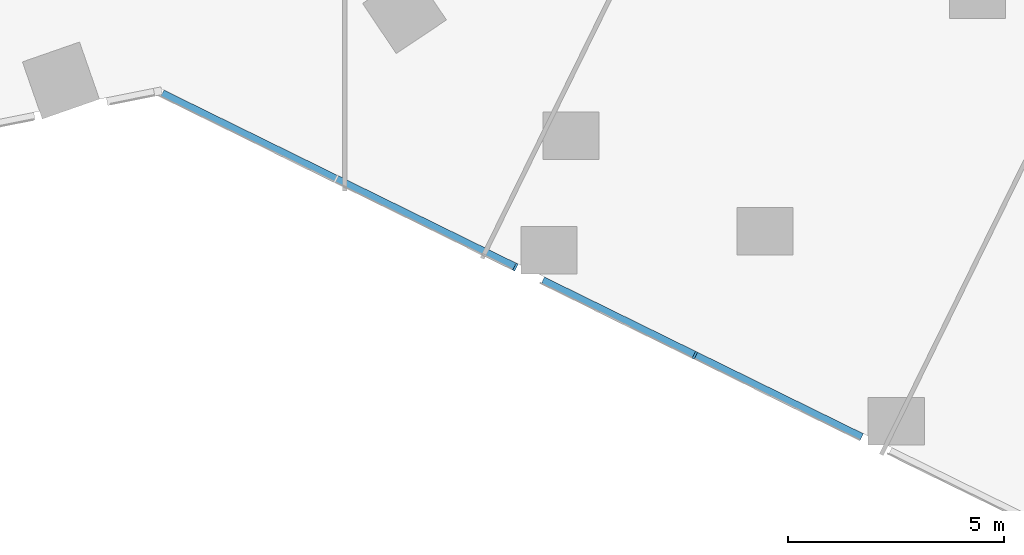
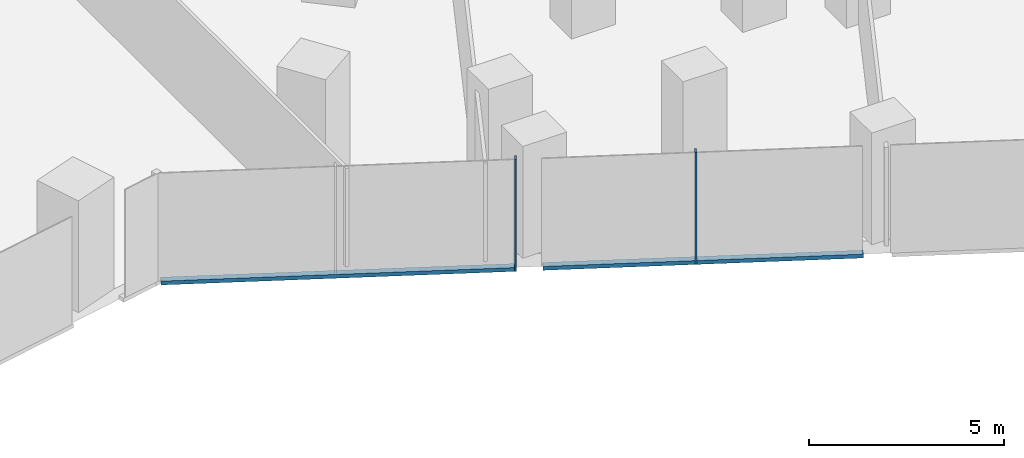
# One storey, part 9 of 38: 4 members, 1 element without a shape of its own.
"""IFC4 building model written with IfcOpenShell, lengths in metres."""

from ifc_helpers import new_model, si_unit, direction, frame, origin, origin_2d, place, context, subcontext, project, spatial, rectangle, extrude, material, material_profile, profile_set, type_object, element, aggregate, save


model = new_model("IFC4")

# Units and contexts
model_context = context("Model", 3, precision=1e-05, world=origin(), true_north=direction((0.0, 1.0)))
body_context = subcontext(model_context, "Body", "Model", "MODEL_VIEW")
ifc_project = project(units=[si_unit("LENGTHUNIT", "METRE"), si_unit("AREAUNIT", "SQUARE_METRE"), si_unit("VOLUMEUNIT", "CUBIC_METRE"), si_unit("PLANEANGLEUNIT", "RADIAN"), si_unit("MASSUNIT", "GRAM", prefix="KILO")], contexts=[model_context])

# Site, building, storey
site_placement = place(None, origin())
site = spatial("IfcSite", under=ifc_project, at=site_placement, CompositionType="ELEMENT")
building_placement = place(site_placement, origin())
building = spatial("IfcBuilding", under=site, at=building_placement, Name="Orlundy Tower", CompositionType="ELEMENT")
storey_placement = place(building_placement, frame((0.0, 0.0, 65.800048828125)))
storey = spatial("IfcBuildingStorey", under=building, at=storey_placement, Name="L15", CompositionType="ELEMENT", Elevation=65.800048828125)

# Curtain wall, members
ifc_material_1 = material(Name="Aluminium bronze anodised", Category="aluminium")
curtain_wall_type = type_object("IfcCurtainWallType", Name="CW1 wall", PredefinedType="NOTDEFINED", material=ifc_material_1)
curtain_wall_placement = place(storey_placement, origin())
curtain_wall = element("IfcCurtainWall", 1, at=curtain_wall_placement, inside=storey, type_object=curtain_wall_type, Name="CW1 run 00", PredefinedType="NOTDEFINED")
ifc_material_2 = material(Name="Aluminium bronze anodised", Category="aluminium")
ifc_material_profile_1 = material_profile(ifc_material_2, rectangle(XDim=0.179931640625, YDim=0.050048828125, at=origin_2d()), Name="CW1 mullion 50x180")
ifc_profile_set_1 = profile_set([ifc_material_profile_1], Name="Aluminium bronze anodised")
member_type_1 = type_object("IfcMemberType", Name="CW1 mullion 50x180", PredefinedType="MULLION", material=ifc_profile_set_1)
member_1_placement = place(storey_placement, frame((24.44580078125, -34.394775390625, -0.400146484375), z_axis=(0.0, 0.0, 1.0), x_axis=(-0.440968989984, -0.897522339484, 0.0)))
member_1 = element("IfcMember", 2, at=member_1_placement, type_object=member_type_1, Name="CW1 mullion 4", PredefinedType="MULLION", context=body_context, shape_type="SweptSolid", body=[
    extrude(rectangle(XDim=0.179931640625, YDim=0.050048828125, at=origin_2d()), origin(), (0.0, 0.0, 1.0), 3.5),
])
member_2_placement = place(storey_placement, frame((20.28955078125, -32.352783203125, -0.400146484375), z_axis=(0.0, 0.0, 1.0), x_axis=(-0.440968989984, -0.897522339484, 0.0)))
member_2 = element("IfcMember", 3, at=member_2_placement, type_object=member_type_1, Name="CW1 mullion 5", PredefinedType="MULLION", context=body_context, shape_type="SweptSolid", body=[
    extrude(rectangle(XDim=0.179931640625, YDim=0.050048828125, at=origin_2d()), origin(), (0.0, 0.0, 1.0), 3.5),
])
ifc_material_3 = material(Name="Aluminium bronze anodised", Category="aluminium")
ifc_material_profile_2 = material_profile(ifc_material_3, rectangle(XDim=0.179931640625, YDim=0.1201171875, at=origin_2d()), Name="CW1 transom 180x120")
ifc_profile_set_2 = profile_set([ifc_material_profile_2], Name="Aluminium bronze anodised")
member_type_2 = type_object("IfcMemberType", Name="CW1 transom 180x120", PredefinedType="USERDEFINED", material=ifc_profile_set_2)
member_3_placement = place(storey_placement, frame((28.31103515625, -36.293701171875, -0.340087890625), z_axis=(-0.897531468233, 0.440950409379, 0.0), x_axis=(-0.440950409379, -0.897531468233, 0.0)))
member_3 = element("IfcMember", 4, at=member_3_placement, type_object=member_type_2, Name="CW1 transom", ObjectType="TRANSOM", PredefinedType="USERDEFINED", context=body_context, shape_type="SweptSolid", body=[
    extrude(rectangle(XDim=0.179931640625, YDim=0.1201171875, at=origin_2d()), origin(), (0.0, 0.0, 1.0), 8.2314453125),
])
member_4_placement = place(storey_placement, frame((20.262939453125, -32.339599609375, -0.340087890625), z_axis=(-0.897527093527, 0.440959313752, 0.0), x_axis=(-0.440959313752, -0.897527093527, 0.0)))
member_4 = element("IfcMember", 5, at=member_4_placement, type_object=member_type_2, Name="CW1 transom", ObjectType="TRANSOM", PredefinedType="USERDEFINED", context=body_context, shape_type="SweptSolid", body=[
    extrude(rectangle(XDim=0.179931640625, YDim=0.1201171875, at=origin_2d()), origin(), (0.0, 0.0, 1.0), 9.087646484375),
])
aggregate(curtain_wall, [member_1, member_2, member_3, member_4])

save(model, "model.ifc")
